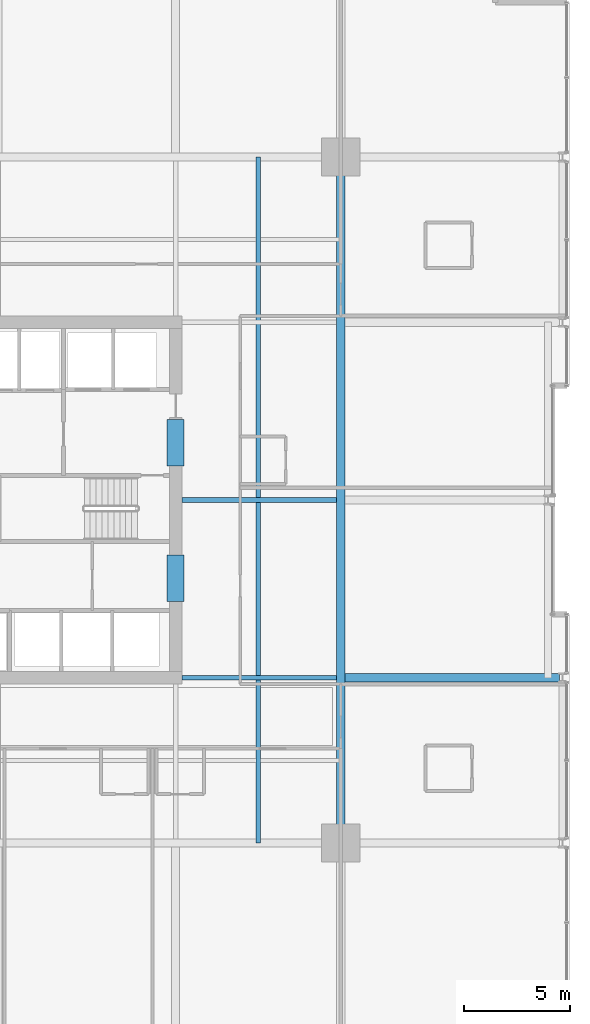
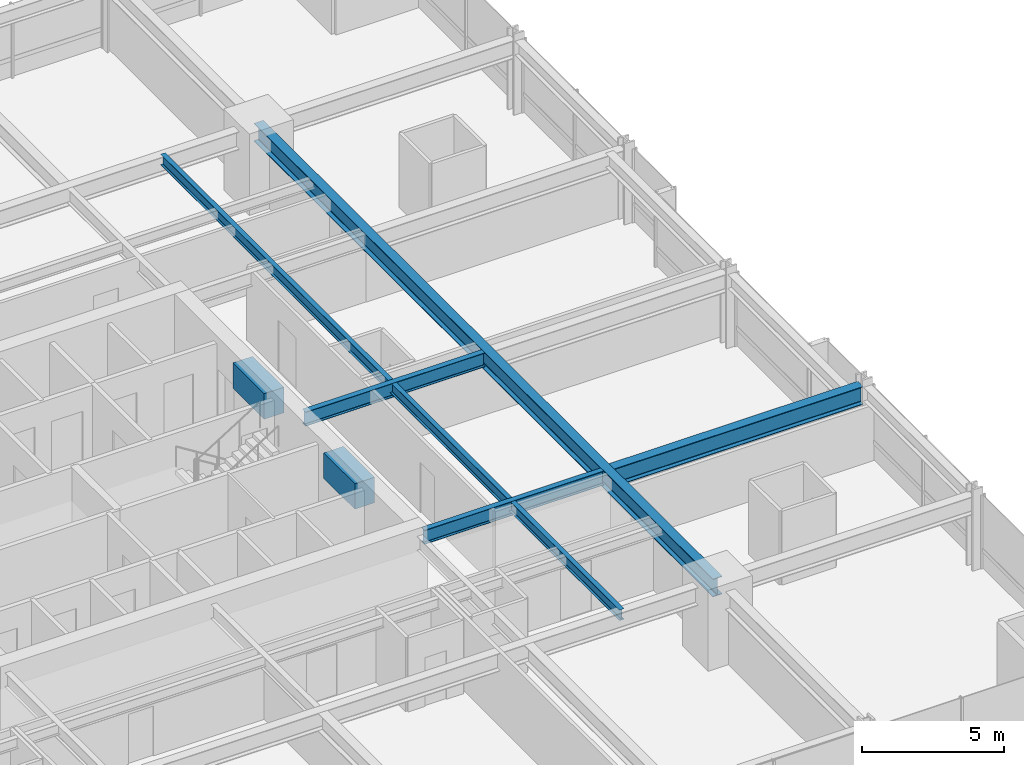
# One storey, part 15 of 37: 7 beams.
"""IFC4 building model written with IfcOpenShell, lengths in metres."""

from ifc_helpers import new_model, si_unit, direction, frame, origin, origin_2d, place, context, subcontext, project, spatial, rectangle, i_section, extrude, material, material_profile, profile_set, type_object, element, save


model = new_model("IFC4")

# Units and contexts
model_context = context("Model", 3, precision=1e-05, world=origin(), true_north=direction((0.0, 1.0)))
body_context = subcontext(model_context, "Body", "Model", "MODEL_VIEW")
ifc_project = project(units=[si_unit("LENGTHUNIT", "METRE"), si_unit("AREAUNIT", "SQUARE_METRE"), si_unit("VOLUMEUNIT", "CUBIC_METRE"), si_unit("PLANEANGLEUNIT", "RADIAN"), si_unit("MASSUNIT", "GRAM", prefix="KILO")], contexts=[model_context])

# Site, building, storey
site_placement = place(None, origin())
site = spatial("IfcSite", under=ifc_project, at=site_placement, CompositionType="ELEMENT")
building_placement = place(site_placement, origin())
building = spatial("IfcBuilding", under=site, at=building_placement, Name="Drelvath Grand Hotel", CompositionType="ELEMENT")
storey_placement = place(building_placement, frame((0.0, 0.0, 78.699951171875)))
storey = spatial("IfcBuildingStorey", under=building, at=storey_placement, Name="L19", CompositionType="ELEMENT", Elevation=78.699951171875)

# Beams
ifc_material_1 = material(Name="Steel ASTM A992 Gr 50", Category="steel")
ifc_material_profile_1 = material_profile(ifc_material_1, i_section(OverallWidth=0.19140625, OverallDepth=0.4599609375, WebThickness=0.010009765625, FlangeThickness=0.01611328125, FilletRadius=0.01611328125, at=origin_2d()), Name="W18X55")
ifc_profile_set_1 = profile_set([ifc_material_profile_1], Name="Steel ASTM A992 Gr 50")
beam_type_1 = type_object("IfcBeamType", Name="Composite Floor Joist W18X55", PredefinedType="JOIST", material=ifc_profile_set_1)
beam_1_placement = place(storey_placement, frame((12.300048828125, 10.800048828125, 2.949951171875), z_axis=(0.0, 1.0, 0.0), x_axis=(-1.0, 0.0, 0.0)))
element("IfcBeam", 1, at=beam_1_placement, inside=storey, type_object=beam_type_1, Name="L19 Wing Floor Joist J4", PredefinedType="JOIST", context=body_context, shape_type="SweptSolid", body=[
    extrude(i_section(OverallWidth=0.19140625, OverallDepth=0.4599609375, WebThickness=0.010009765625, FlangeThickness=0.01611328125, FilletRadius=0.01611328125, at=origin_2d()), origin(), (0.0, 0.0, 1.0), 32.39990234375),
])
ifc_material_2 = material(Name="Concrete f'c 70 MPa", Category="concrete")
ifc_material_profile_2 = material_profile(ifc_material_2, rectangle(XDim=0.800048828125, YDim=1.10009765625, at=origin_2d()), Name="CB800X1100")
ifc_profile_set_2 = profile_set([ifc_material_profile_2], Name="Concrete f'c 70 MPa")
beam_type_2 = type_object("IfcBeamType", Name="Core Coupling Lintel CB800X1100", PredefinedType="LINTEL", material=ifc_profile_set_2)
for number, where, z_axis, x_axis, name in (
    (2, (8.39990234375, 22.199951171875, 2.630126953125), (0.0, 1.0, 0.0), (-1.0, 0.0, 0.0), "L19 Core Coupling Lintel ES"),
    (3, (8.39990234375, 28.60009765625, 2.630126953125), (0.0, 1.0, 0.0), (-1.0, 0.0, 0.0), "L19 Core Coupling Lintel EN"),
):
    element("IfcBeam", number, at=place(storey_placement, frame(where, z_axis=z_axis, x_axis=x_axis)), inside=storey, type_object=beam_type_2, Name=name, PredefinedType="LINTEL", context=body_context, shape_type="SweptSolid", body=[
        extrude(rectangle(XDim=0.800048828125, YDim=1.10009765625, at=origin_2d()), origin(), (0.0, 0.0, 1.0), 2.199951171875),
    ])
ifc_material_profile_3 = material_profile(ifc_material_1, i_section(OverallWidth=0.228271484375, OverallDepth=0.607666015625, WebThickness=0.01123046875, FlangeThickness=0.017333984375, FilletRadius=0.02001953125, at=origin_2d()), Name="W24X76")
ifc_profile_set_3 = profile_set([ifc_material_profile_3], Name="Steel ASTM A992 Gr 50")
beam_type_3 = type_object("IfcBeamType", Name="Primary Floor Girder W24X76", PredefinedType="BEAM", material=ifc_profile_set_3)
for number, where, z_axis, x_axis, name in (
    (4, (8.699951171875, 18.60009765625, 2.876220703125), (1.0, 0.0, 0.0), (0.0, 1.0, 0.0), "L19 East Core Tie D"),
    (5, (8.699951171875, 27.0, 2.876220703125), (1.0, 0.0, 0.0), (0.0, 1.0, 0.0), "L19 East Core Tie E"),
):
    element("IfcBeam", number, at=place(storey_placement, frame(where, z_axis=z_axis, x_axis=x_axis)), inside=storey, type_object=beam_type_3, Name=name, PredefinedType="BEAM", context=body_context, shape_type="SweptSolid", body=[
        extrude(i_section(OverallWidth=0.228271484375, OverallDepth=0.607666015625, WebThickness=0.01123046875, FlangeThickness=0.017333984375, FilletRadius=0.02001953125, at=origin_2d()), origin(), (0.0, 0.0, 1.0), 7.309814453125),
    ])
ifc_material_profile_4 = material_profile(ifc_material_1, i_section(OverallWidth=0.380615234375, OverallDepth=0.773193359375, WebThickness=0.0166015625, FlangeThickness=0.027099609375, FilletRadius=0.02490234375, at=origin_2d()), Name="W30X173")
ifc_profile_set_4 = profile_set([ifc_material_profile_4], Name="Steel ASTM A992 Gr 50")
beam_type_4 = type_object("IfcBeamType", Name="Primary Floor Girder W30X173", PredefinedType="BEAM", material=ifc_profile_set_4)
beam_2_placement = place(storey_placement, frame((16.199951171875, 10.800048828125, 2.79345703125), z_axis=(0.0, 1.0, 0.0), x_axis=(-1.0, 0.0, 0.0)))
element("IfcBeam", 6, at=beam_2_placement, inside=storey, type_object=beam_type_4, Name="L19 Mega Ring Girder East", PredefinedType="BEAM", context=body_context, shape_type="SweptSolid", body=[
    extrude(i_section(OverallWidth=0.380615234375, OverallDepth=0.773193359375, WebThickness=0.0166015625, FlangeThickness=0.027099609375, FilletRadius=0.02490234375, at=origin_2d()), origin(), (0.0, 0.0, 1.0), 32.39990234375),
])
beam_3_placement = place(storey_placement, frame((16.390380859375, 18.60009765625, 2.79345703125), z_axis=(1.0, 0.0, 0.0), x_axis=(0.0, 1.0, 0.0)))
element("IfcBeam", 7, at=beam_3_placement, inside=storey, type_object=beam_type_4, Name="L19 East Wing Girder D", PredefinedType="BEAM", context=body_context, shape_type="SweptSolid", body=[
    extrude(i_section(OverallWidth=0.380615234375, OverallDepth=0.773193359375, WebThickness=0.0166015625, FlangeThickness=0.027099609375, FilletRadius=0.02490234375, at=origin_2d()), origin(), (0.0, 0.0, 1.0), 10.149658203125),
])

save(model, "model.ifc")
